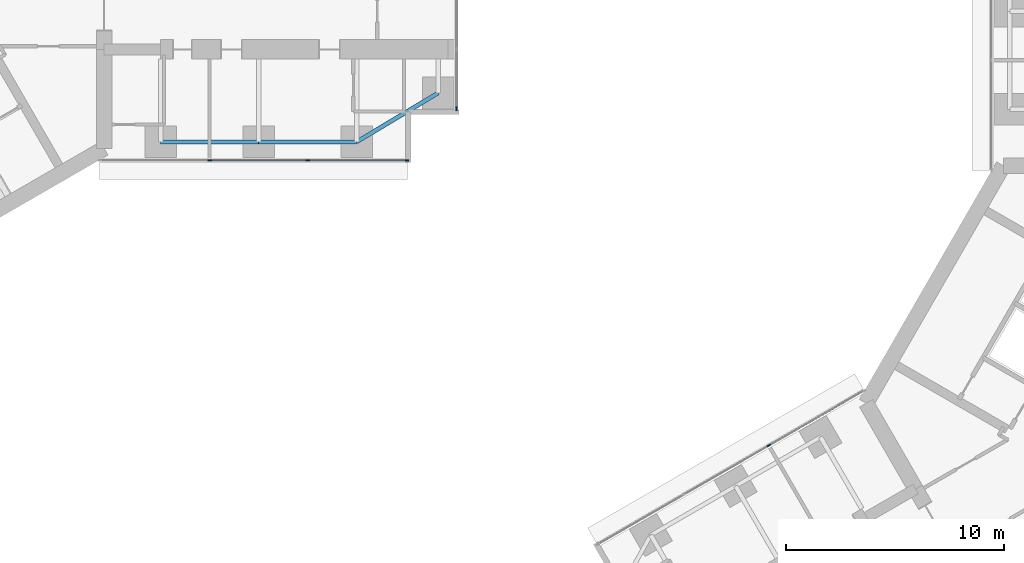
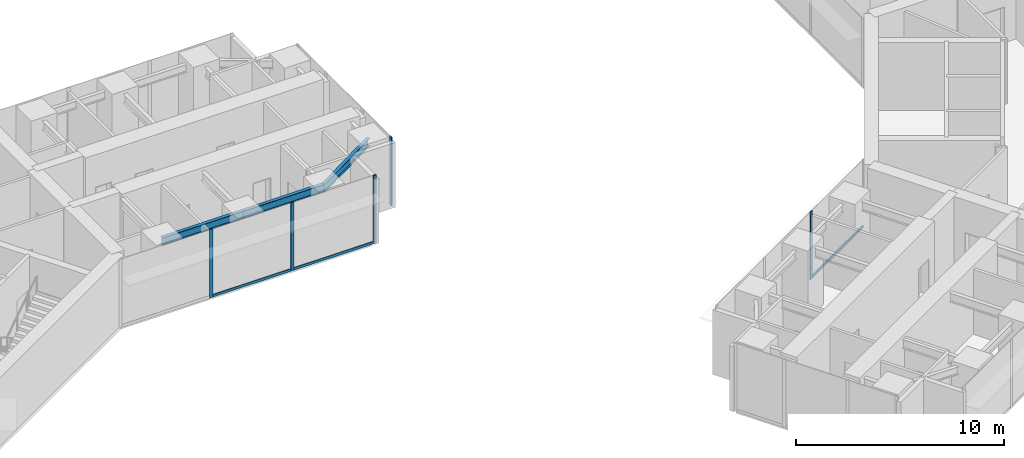
# One storey, part 5 of 24: 8 members, 3 beams, 3 elements without a shape of their own.
"""IFC4 building model written with IfcOpenShell, lengths in metres."""

from ifc_helpers import new_model, si_unit, direction, frame, origin, origin_2d, place, context, subcontext, project, spatial, rectangle, i_section, extrude, material, material_profile, profile_set, type_object, element, aggregate, save


model = new_model("IFC4")

# Units and contexts
model_context = context("Model", 3, precision=1e-05, world=origin(), true_north=direction((0.0, 1.0)))
body_context = subcontext(model_context, "Body", "Model", "MODEL_VIEW")
ifc_project = project(units=[si_unit("LENGTHUNIT", "METRE"), si_unit("AREAUNIT", "SQUARE_METRE"), si_unit("VOLUMEUNIT", "CUBIC_METRE"), si_unit("PLANEANGLEUNIT", "RADIAN"), si_unit("MASSUNIT", "GRAM", prefix="KILO")], contexts=[model_context])

# Site, building, storey
site_placement = place(None, origin())
site = spatial("IfcSite", under=ifc_project, at=site_placement, CompositionType="ELEMENT")
building_placement = place(site_placement, origin())
building = spatial("IfcBuilding", under=site, at=building_placement, Name="Upepo Twin Towers", CompositionType="ELEMENT")
storey_placement = place(building_placement, frame((0.0, 0.0, 52.5)))
storey = spatial("IfcBuildingStorey", under=building, at=storey_placement, Name="L12", CompositionType="ELEMENT", Elevation=52.5)

# Beams
ifc_material_1 = material(Name="Steel S355", Category="steel")
ifc_material_profile_1 = material_profile(ifc_material_1, i_section(OverallWidth=0.1904296875, OverallDepth=0.45703125, WebThickness=0.009033203125, FlangeThickness=0.014404296875, FilletRadius=0.01025390625, at=origin_2d()), Name="UB 457x191x74")
ifc_profile_set_1 = profile_set([ifc_material_profile_1], Name="Steel S355")
beam_type = type_object("IfcBeamType", Name="Beam UB 457x191x74", PredefinedType="BEAM", material=ifc_profile_set_1)
for number, where, z_axis, x_axis, name in (
    (1, (13.5, -6.0, 3.571533203125), (1.0, 0.0, 0.0), (0.0, 1.0, 0.0), "T1 edge beam AR 13.5-18.0"),
    (2, (18.0, -6.0, 3.571533203125), (1.0, 0.0, 0.0), (0.0, 1.0, 0.0), "T1 edge beam AR 18.0-22.5"),
):
    element("IfcBeam", number, at=place(storey_placement, frame(where, z_axis=z_axis, x_axis=x_axis)), inside=storey, type_object=beam_type, Name=name, PredefinedType="BEAM", context=body_context, shape_type="SweptSolid", body=[
        extrude(i_section(OverallWidth=0.1904296875, OverallDepth=0.45703125, WebThickness=0.009033203125, FlangeThickness=0.014404296875, FilletRadius=0.01025390625, at=origin_2d()), origin(), (0.0, 0.0, 1.0), 4.5),
    ])
beam_placement = place(storey_placement, frame((22.5, -6.0, 3.571533203125), z_axis=(0.857492925713, 0.514495755428, 0.0), x_axis=(-0.514495755428, 0.857492925713, 0.0)))
element("IfcBeam", 3, at=beam_placement, inside=storey, type_object=beam_type, Name="T1 nose edge beam AR", PredefinedType="BEAM", context=body_context, shape_type="SweptSolid", body=[
    extrude(i_section(OverallWidth=0.1904296875, OverallDepth=0.45703125, WebThickness=0.009033203125, FlangeThickness=0.014404296875, FilletRadius=0.01025390625, at=origin_2d()), origin(), (0.0, 0.0, 1.0), 4.373291015625),
])

# Curtain wall, members
ifc_material_2 = material(Name="Aluminium and fritted glass", Category="aluminium")
curtain_wall_type = type_object("IfcCurtainWallType", Name="Tower curtain wall TW1, fritted glass", PredefinedType="NOTDEFINED", material=ifc_material_2)
curtain_wall_1_placement = place(storey_placement, origin())
curtain_wall_1 = element("IfcCurtainWall", 4, at=curtain_wall_1_placement, inside=storey, type_object=curtain_wall_type, Name="T1 L12 wing A flank R curtain wall", PredefinedType="NOTDEFINED")
ifc_material_3 = material(Name="Aluminium mullion", Category="aluminium")
ifc_material_profile_2 = material_profile(ifc_material_3, rectangle(XDim=0.06494140625, YDim=0.179931640625, at=origin_2d()), Name="MULLION 65x180")
ifc_profile_set_2 = profile_set([ifc_material_profile_2], Name="Aluminium mullion")
member_type_1 = type_object("IfcMemberType", Name="Mullion 65x180 TW1", PredefinedType="MULLION", material=ifc_profile_set_2)
member_1_placement = place(storey_placement, frame((24.8173828125, -6.85009765625, 0.0), z_axis=(0.0, 0.0, 1.0), x_axis=(0.0, -1.0, 0.0)))
member_1 = element("IfcMember", 5, at=member_1_placement, type_object=member_type_1, Name="T1 L12 wing A flank R curtain wall mullion 1", PredefinedType="MULLION", context=body_context, shape_type="SweptSolid", body=[
    extrude(rectangle(XDim=0.06494140625, YDim=0.179931640625, at=origin_2d()), origin(), (0.0, 0.0, 1.0), 4.0),
])
member_2_placement = place(storey_placement, frame((20.25, -6.85009765625, 0.0), z_axis=(0.0, 0.0, 1.0), x_axis=(0.0, -1.0, 0.0)))
member_2 = element("IfcMember", 6, at=member_2_placement, type_object=member_type_1, Name="T1 L12 wing A flank R curtain wall mullion 2", PredefinedType="MULLION", context=body_context, shape_type="SweptSolid", body=[
    extrude(rectangle(XDim=0.06494140625, YDim=0.179931640625, at=origin_2d()), origin(), (0.0, 0.0, 1.0), 4.0),
])
member_3_placement = place(storey_placement, frame((15.75, -6.85009765625, 0.0), z_axis=(0.0, 0.0, 1.0), x_axis=(0.0, -1.0, 0.0)))
member_3 = element("IfcMember", 7, at=member_3_placement, type_object=member_type_1, Name="T1 L12 wing A flank R curtain wall mullion 3", PredefinedType="MULLION", context=body_context, shape_type="SweptSolid", body=[
    extrude(rectangle(XDim=0.06494140625, YDim=0.179931640625, at=origin_2d()), origin(), (0.0, 0.0, 1.0), 4.0),
])

# Curtain wall, member
curtain_wall_2_placement = place(storey_placement, origin())
curtain_wall_2 = element("IfcCurtainWall", 8, at=curtain_wall_2_placement, inside=storey, type_object=curtain_wall_type, Name="T1 L12 wing A nose curtain wall", PredefinedType="NOTDEFINED")
member_4_placement = place(storey_placement, frame((27.10009765625, -4.467529296875, 0.0), z_axis=(0.0, 0.0, 1.0), x_axis=(-1.0, 0.0, 0.0)))
member_4 = element("IfcMember", 9, at=member_4_placement, type_object=member_type_1, Name="T1 L12 wing A nose curtain wall mullion 1", PredefinedType="MULLION", context=body_context, shape_type="SweptSolid", body=[
    extrude(rectangle(XDim=0.06494140625, YDim=0.179931640625, at=origin_2d()), origin(), (0.0, 0.0, 1.0), 4.0),
])
aggregate(curtain_wall_2, [member_4])

curtain_wall_3_placement = place(storey_placement, origin())
curtain_wall_3 = element("IfcCurtainWall", 10, at=curtain_wall_3_placement, inside=storey, type_object=curtain_wall_type, Name="T2 L12 wing B flank R curtain wall", PredefinedType="NOTDEFINED")
member_5_placement = place(storey_placement, frame((41.43505859375, -19.942626953125, 0.0), z_axis=(0.0, 0.0, 1.0), x_axis=(-0.500000024426, 0.866025389682, 0.0)))
member_5 = element("IfcMember", 11, at=member_5_placement, type_object=member_type_1, Name="T2 L12 wing B flank R curtain wall mullion 3", PredefinedType="MULLION", context=body_context, shape_type="SweptSolid", body=[
    extrude(rectangle(XDim=0.06494140625, YDim=0.179931640625, at=origin_2d()), origin(), (0.0, 0.0, 1.0), 4.0),
])

# Member
ifc_material_4 = material(Name="Aluminium transom", Category="aluminium")
ifc_material_profile_3 = material_profile(ifc_material_4, rectangle(XDim=0.06494140625, YDim=0.14990234375, at=origin_2d()), Name="TRANSOM 65x150")
ifc_profile_set_3 = profile_set([ifc_material_profile_3], Name="Aluminium transom")
member_type_2 = type_object("IfcMemberType", Name="Transom 65x150 TW1", PredefinedType="USERDEFINED", material=ifc_profile_set_3)
member_6_placement = place(storey_placement, frame((24.784912109375, -6.85009765625, 0.074951171875), z_axis=(-1.0, 0.0, 0.0), x_axis=(0.0, -1.0, 0.0)))
member_6 = element("IfcMember", 12, at=member_6_placement, type_object=member_type_2, Name="T1 L12 wing A flank R curtain wall transom 1", ObjectType="TRANSOM", PredefinedType="USERDEFINED", context=body_context, shape_type="SweptSolid", body=[
    extrude(rectangle(XDim=0.06494140625, YDim=0.14990234375, at=origin_2d()), origin(), (0.0, 0.0, 1.0), 4.50244140625),
])

member_7_placement = place(storey_placement, frame((20.217529296875, -6.85009765625, 0.074951171875), z_axis=(-1.0, 0.0, 0.0), x_axis=(0.0, -1.0, 0.0)))
member_7 = element("IfcMember", 13, at=member_7_placement, type_object=member_type_2, Name="T1 L12 wing A flank R curtain wall transom 2", ObjectType="TRANSOM", PredefinedType="USERDEFINED", context=body_context, shape_type="SweptSolid", body=[
    extrude(rectangle(XDim=0.06494140625, YDim=0.14990234375, at=origin_2d()), origin(), (0.0, 0.0, 1.0), 4.43505859375),
])

aggregate(curtain_wall_1, [member_1, member_2, member_3, member_6, member_7])

member_8_placement = place(storey_placement, frame((41.463134765625, -19.926513671875, 0.074951171875), z_axis=(0.866034933967, 0.499983492876, 0.0), x_axis=(-0.499983492876, 0.866034933967, 0.0)))
member_8 = element("IfcMember", 14, at=member_8_placement, type_object=member_type_2, Name="T2 L12 wing B flank R curtain wall transom 3", ObjectType="TRANSOM", PredefinedType="USERDEFINED", context=body_context, shape_type="SweptSolid", body=[
    extrude(rectangle(XDim=0.06494140625, YDim=0.14990234375, at=origin_2d()), origin(), (0.0, 0.0, 1.0), 4.965576171875),
])

aggregate(curtain_wall_3, [member_5, member_8])

save(model, "model.ifc")
